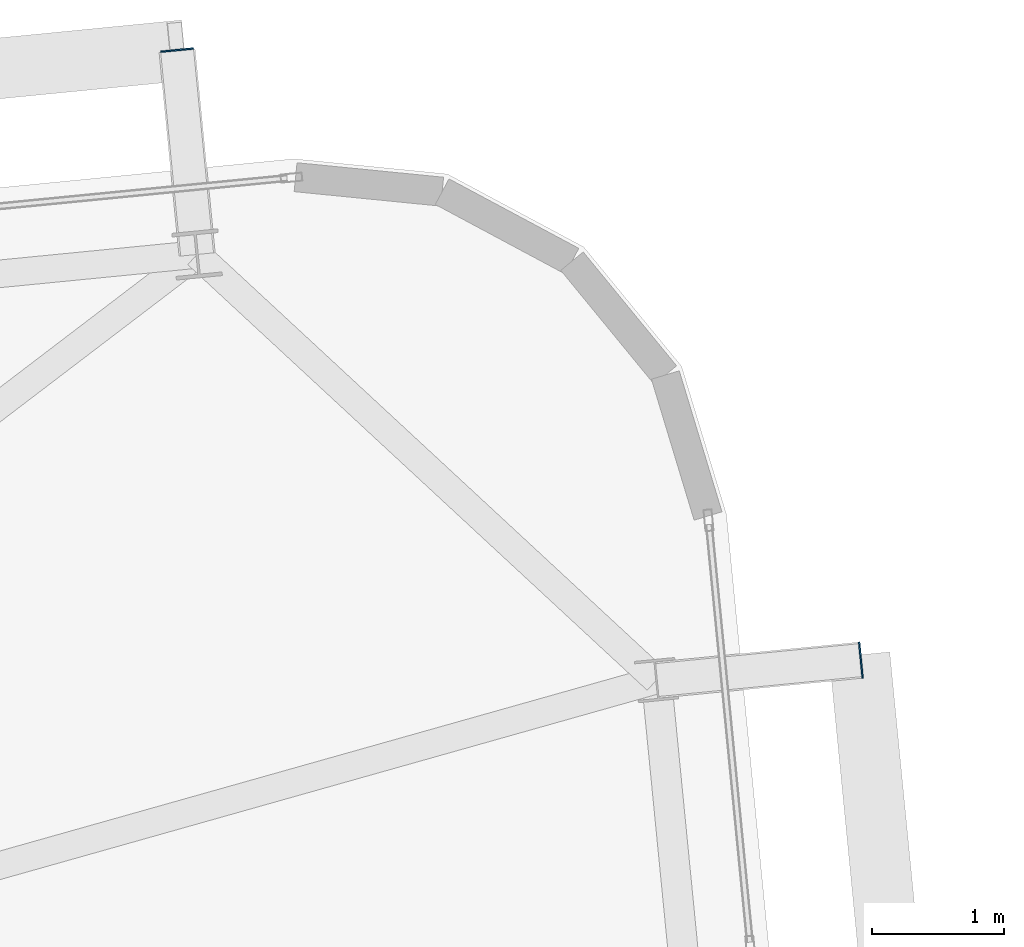
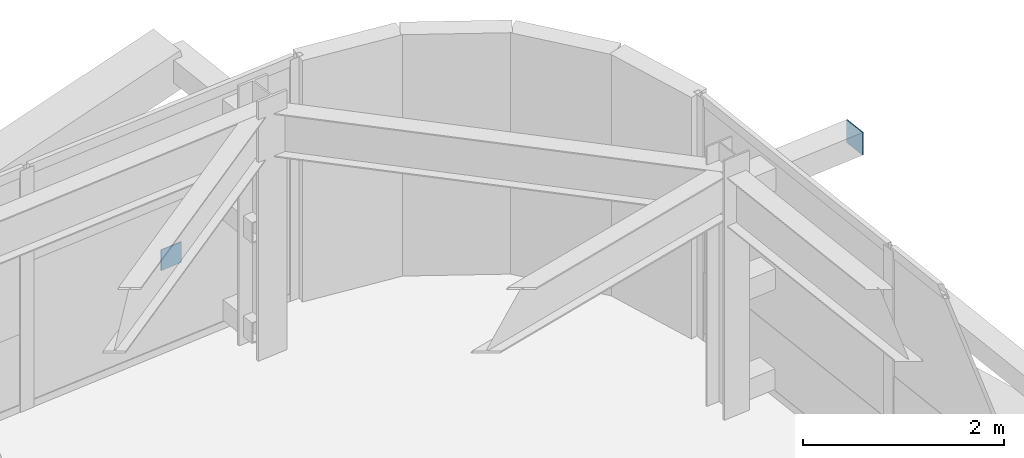
# One storey, part 45 of 53: 2 plates.
"""IFC4 building model written with IfcOpenShell, lengths in metres."""

from ifc_helpers import new_model, si_unit, direction, frame, origin, origin_2d, place, context, subcontext, project, spatial, rectangle, extrude, source, transform, mapped, material, layer, layer_set, type_object, element, save


model = new_model("IFC4")

# Units and contexts
model_context = context("Model", 3, precision=1e-05, world=origin(), true_north=direction((0.0, 1.0)))
body_context = subcontext(model_context, "Body", "Model", "MODEL_VIEW")
ifc_project = project(units=[si_unit("LENGTHUNIT", "METRE"), si_unit("AREAUNIT", "SQUARE_METRE"), si_unit("VOLUMEUNIT", "CUBIC_METRE"), si_unit("PLANEANGLEUNIT", "RADIAN"), si_unit("MASSUNIT", "GRAM", prefix="KILO")], contexts=[model_context])

# Site, building, storey
site_placement = place(None, origin())
site = spatial("IfcSite", under=ifc_project, at=site_placement, CompositionType="ELEMENT")
building_placement = place(site_placement, origin())
building = spatial("IfcBuilding", under=site, at=building_placement, Name="Taldren Reach Tower", CompositionType="ELEMENT")
storey_placement = place(building_placement, frame((0.0, 0.0, 80.85009765625)))
storey = spatial("IfcBuildingStorey", under=building, at=storey_placement, Name="L24", CompositionType="ELEMENT", Elevation=80.85009765625)

# Plates
ifc_material_1 = material(Name="Steel Gr 450 (C450L0)", Category="steel")
ifc_layer_1 = layer(ifc_material_1, 0.011962890625)
ifc_layer_set_1 = layer_set([ifc_layer_1], Name="Steel Gr 450 (C450L0)")
plate_type_1 = type_object("IfcPlateType", Name="PL-CAP-275", PredefinedType="SHEET", material=ifc_layer_set_1)
shared_shape_1 = source(origin(), body_context, "Body", "SweptSolid", [
    extrude(rectangle(XDim=0.011962890625, YDim=0.27490234375, at=origin_2d()), origin(), (0.0, 0.0, 1.0), 0.27490234375),
])
plate_1_placement = place(storey_placement, frame((64.7958984375, 35.60595703125, 2.512451171875), z_axis=(0.0, 0.0, 1.0), x_axis=(0.995227399982, 0.097582899759, 0.0)))
element("IfcPlate", 1, at=plate_1_placement, inside=storey, type_object=plate_type_1, Name="Tie strut end cap plate B2-E3 L24", PredefinedType="SHEET", context=body_context, shape_type="MappedRepresentation", body=[
    mapped(shared_shape_1, transform((0.0, 0.0, 0.0), scale=1.0)),
])
ifc_material_2 = material(Name="Steel Gr 350 (C350L0)", Category="steel")
ifc_layer_2 = layer(ifc_material_2, 0.011962890625)
ifc_layer_set_2 = layer_set([ifc_layer_2], Name="Steel Gr 350 (C350L0)")
plate_type_2 = type_object("IfcPlateType", Name="PL-CAP-250", PredefinedType="SHEET", material=ifc_layer_set_2)
shared_shape_2 = source(origin(), body_context, "Body", "SweptSolid", [
    extrude(rectangle(XDim=0.25, YDim=0.011962890625, at=origin_2d()), origin(), (0.0, 0.0, 1.0), 0.25),
])
plate_2_placement = place(storey_placement, frame((59.614013671875, 40.228515625, 0.094970703125), z_axis=(0.0, 0.0, 1.0), x_axis=(0.995227399982, 0.097582899759, 0.0)))
element("IfcPlate", 2, at=plate_2_placement, inside=storey, type_object=plate_type_2, Name="Tie strut end cap plate B2-N6 L24", PredefinedType="SHEET", context=body_context, shape_type="MappedRepresentation", body=[
    mapped(shared_shape_2, transform((0.0, 0.0, 0.0), scale=1.0)),
])

save(model, "model.ifc")
